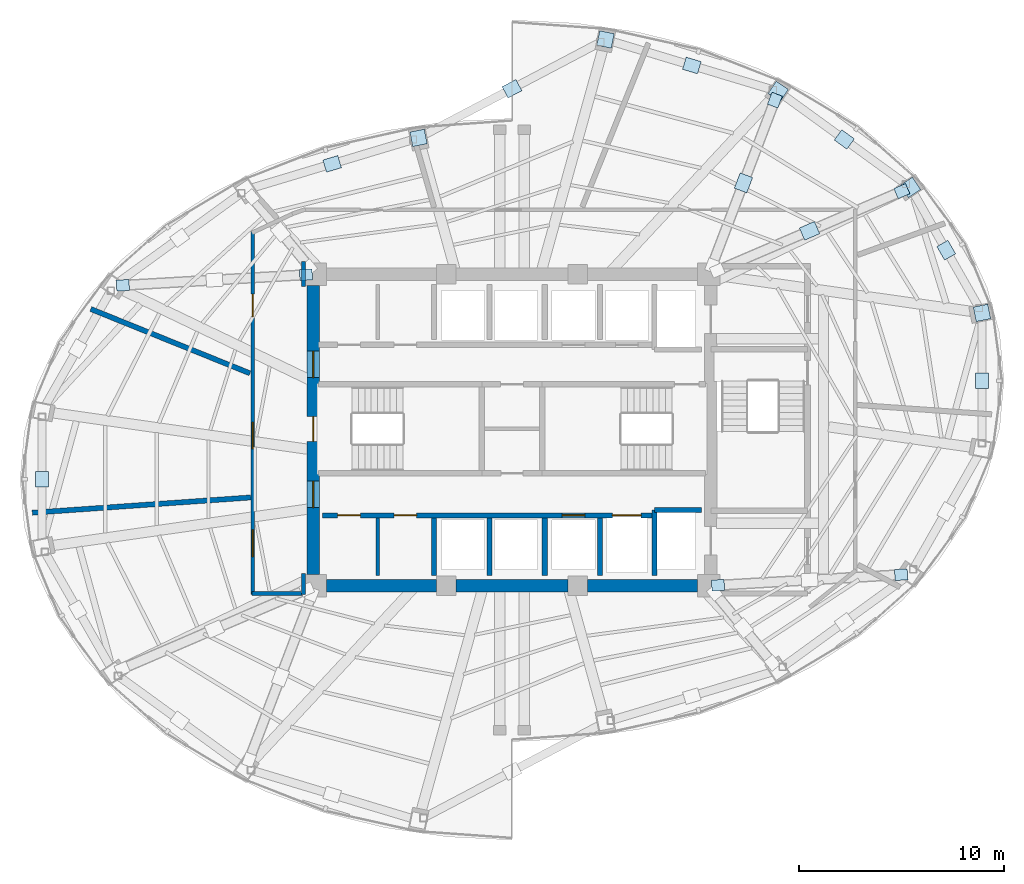
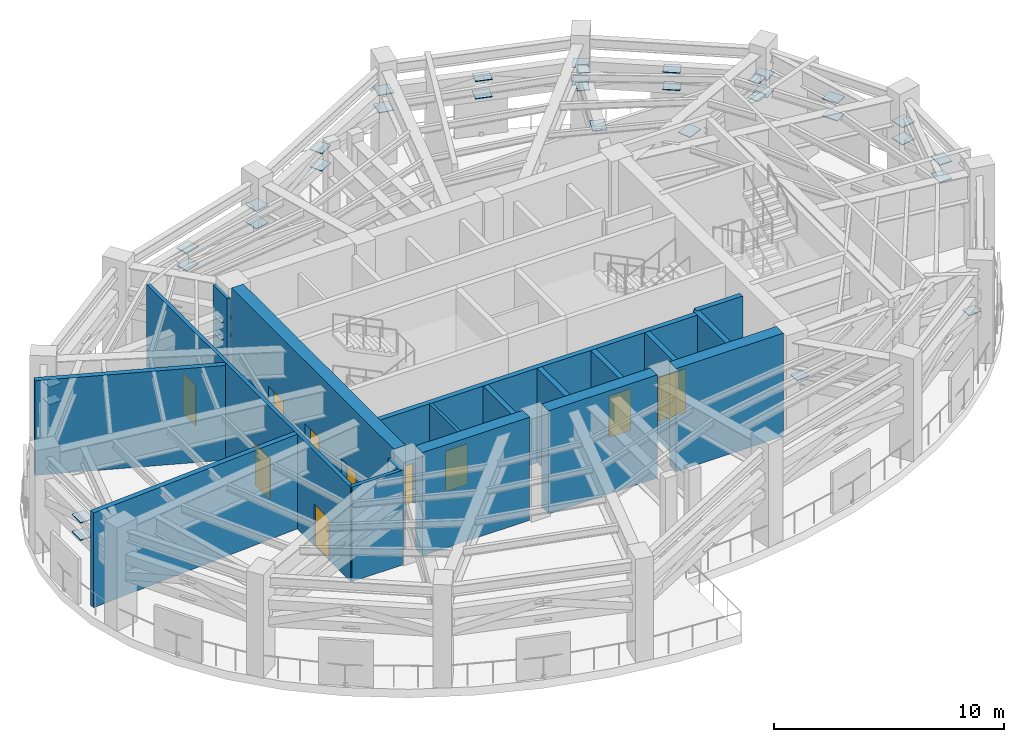
# One storey, part 7 of 12: 36 plates, 18 walls, 10 doors, 10 openings.
"""IFC4 building model written with IfcOpenShell, lengths in metres."""

from ifc_helpers import new_model, si_unit, direction, frame, frame_2d, origin, origin_2d, place, context, subcontext, project, spatial, rectangle, extrude, material, layer, layer_set, type_object, element, fill, save


model = new_model("IFC4")

# Units and contexts
model_context = context("Model", 3, precision=1e-05, world=origin(), true_north=direction((0.0, 1.0)))
body_context = subcontext(model_context, "Body", "Model", "MODEL_VIEW")
ifc_project = project(units=[si_unit("LENGTHUNIT", "METRE"), si_unit("AREAUNIT", "SQUARE_METRE"), si_unit("VOLUMEUNIT", "CUBIC_METRE"), si_unit("PLANEANGLEUNIT", "RADIAN"), si_unit("MASSUNIT", "GRAM", prefix="KILO")], contexts=[model_context])

# Site, building, storey
site_placement = place(None, origin())
site = spatial("IfcSite", under=ifc_project, at=site_placement, CompositionType="ELEMENT")
building_placement = place(site_placement, origin())
building = spatial("IfcBuilding", under=site, at=building_placement, Name="Lazwardi Medical Tower", CompositionType="ELEMENT")
storey_placement = place(building_placement, frame((0.0, 0.0, 189.360107421875)))
storey = spatial("IfcBuildingStorey", under=building, at=storey_placement, Name="L49", CompositionType="ELEMENT", Elevation=189.360107421875)

# Plates
ifc_material_1 = material(Name="Steel S460", Category="steel")
ifc_layer_1 = layer(ifc_material_1, 0.0400390625)
ifc_layer_set_1 = layer_set([ifc_layer_1], Name="Steel S460")
plate_type = type_object("IfcPlateType", Name="PLT-GUS-01", PredefinedType="USERDEFINED", material=ifc_layer_set_1)
for number, where, z_axis, x_axis, name in (
    (1, (58.92578125, 30.39990234375, 3.579833984375), (0.0, 0.0, 1.0), (0.0, 1.0, 0.0), "Belt truss gusset plate GP-01 T04 L49"),
    (2, (58.92578125, 30.39990234375, 2.659912109375), (0.0, 0.0, 1.0), (0.0, 1.0, 0.0), "Belt truss gusset plate GP-01 B04 L49"),
):
    element("IfcPlate", number, at=place(storey_placement, frame(where, z_axis=z_axis, x_axis=x_axis)), inside=storey, type_object=plate_type, Name=name, ObjectType="GUSSET_PLATE", PredefinedType="USERDEFINED", context=body_context, shape_type="SweptSolid", body=[
        extrude(rectangle(XDim=0.760009765625, YDim=0.6201171875, at=origin_2d()), origin(), (0.0, 0.0, 1.0), 0.0400390625),
    ])
for number, where, z_axis, x_axis, name in (
    (3, (58.92578125, 33.711669921875, 2.659912109375), (0.0, 0.0, 1.0), (0.980785280403, 0.195090322016, 0.0), "Belt truss column gusset plate GP-01 MB05 L49"),
    (4, (58.92578125, 33.711669921875, 3.579833984375), (0.0, 0.0, 1.0), (0.980785280403, 0.195090322016, 0.0), "Belt truss column gusset plate GP-01 MT05 L49"),
):
    element("IfcPlate", number, at=place(storey_placement, frame(where, z_axis=z_axis, x_axis=x_axis)), inside=storey, type_object=plate_type, Name=name, ObjectType="GUSSET_PLATE", PredefinedType="USERDEFINED", context=body_context, shape_type="SweptSolid", body=[
        extrude(rectangle(XDim=0.719970703125, YDim=0.719970703125, at=origin_2d()), origin(), (0.0, 0.0, 1.0), 0.0400390625),
    ])
for number, where, z_axis, x_axis, name in (
    (5, (57.180908203125, 36.771240234375, 3.579833984375), (0.0, 0.0, 1.0), (-0.495458668432, 0.868631514438, 0.0), "Belt truss gusset plate GP-01 T05 L49"),
    (6, (57.180908203125, 36.771240234375, 2.659912109375), (0.0, 0.0, 1.0), (-0.495458668432, 0.868631514438, 0.0), "Belt truss gusset plate GP-01 B05 L49"),
):
    element("IfcPlate", number, at=place(storey_placement, frame(where, z_axis=z_axis, x_axis=x_axis)), inside=storey, type_object=plate_type, Name=name, ObjectType="GUSSET_PLATE", PredefinedType="USERDEFINED", context=body_context, shape_type="SweptSolid", body=[
        extrude(rectangle(XDim=0.760009765625, YDim=0.6201171875, at=origin_2d()), origin(), (0.0, 0.0, 1.0), 0.0400390625),
    ])
for number, where, z_axis, x_axis, name in (
    (7, (55.435546875, 39.830810546875, 2.659912109375), (0.0, 0.0, 1.0), (0.831469612303, 0.55557023302, 0.0), "Belt truss column gusset plate GP-01 MB06 L49"),
    (8, (55.435546875, 39.830810546875, 3.579833984375), (0.0, 0.0, 1.0), (0.831469612303, 0.55557023302, 0.0), "Belt truss column gusset plate GP-01 MT06 L49"),
):
    element("IfcPlate", number, at=place(storey_placement, frame(where, z_axis=z_axis, x_axis=x_axis)), inside=storey, type_object=plate_type, Name=name, ObjectType="GUSSET_PLATE", PredefinedType="USERDEFINED", context=body_context, shape_type="SweptSolid", body=[
        extrude(rectangle(XDim=0.719970703125, YDim=0.719970703125, at=origin_2d()), origin(), (0.0, 0.0, 1.0), 0.0400390625),
    ])
for number, where, z_axis, x_axis, name in (
    (9, (52.211181640625, 42.172607421875, 3.579833984375), (0.0, 0.0, 1.0), (-0.809119569932, 0.587644043238, 0.0), "Belt truss gusset plate GP-01 T06 L49"),
    (10, (52.211181640625, 42.172607421875, 2.659912109375), (0.0, 0.0, 1.0), (-0.809119569932, 0.587644043238, 0.0), "Belt truss gusset plate GP-01 B06 L49"),
):
    element("IfcPlate", number, at=place(storey_placement, frame(where, z_axis=z_axis, x_axis=x_axis)), inside=storey, type_object=plate_type, Name=name, ObjectType="GUSSET_PLATE", PredefinedType="USERDEFINED", context=body_context, shape_type="SweptSolid", body=[
        extrude(rectangle(XDim=0.760009765625, YDim=0.6201171875, at=origin_2d()), origin(), (0.0, 0.0, 1.0), 0.0400390625),
    ])
for number, where, z_axis, x_axis, name in (
    (11, (48.986572265625, 44.51416015625, 2.659912109375), (0.0, 0.0, 1.0), (0.55557023302, 0.831469612303, 0.0), "Belt truss column gusset plate GP-01 MB07 L49"),
    (12, (48.986572265625, 44.51416015625, 3.579833984375), (0.0, 0.0, 1.0), (0.55557023302, 0.831469612303, 0.0), "Belt truss column gusset plate GP-01 MT07 L49"),
):
    element("IfcPlate", number, at=place(storey_placement, frame(where, z_axis=z_axis, x_axis=x_axis)), inside=storey, type_object=plate_type, Name=name, ObjectType="GUSSET_PLATE", PredefinedType="USERDEFINED", context=body_context, shape_type="SweptSolid", body=[
        extrude(rectangle(XDim=0.719970703125, YDim=0.719970703125, at=origin_2d()), origin(), (0.0, 0.0, 1.0), 0.0400390625),
    ])
for number, where, z_axis, x_axis, name in (
    (13, (44.7734375, 45.781494140625, 3.579833984375), (0.0, 0.0, 1.0), (-0.957621645958, 0.288029136015, 0.0), "Belt truss gusset plate GP-01 T07 L49"),
    (14, (44.7734375, 45.781494140625, 2.659912109375), (0.0, 0.0, 1.0), (-0.957621645958, 0.288029136015, 0.0), "Belt truss gusset plate GP-01 B07 L49"),
):
    element("IfcPlate", number, at=place(storey_placement, frame(where, z_axis=z_axis, x_axis=x_axis)), inside=storey, type_object=plate_type, Name=name, ObjectType="GUSSET_PLATE", PredefinedType="USERDEFINED", context=body_context, shape_type="SweptSolid", body=[
        extrude(rectangle(XDim=0.760009765625, YDim=0.6201171875, at=origin_2d()), origin(), (0.0, 0.0, 1.0), 0.0400390625),
    ])
for number, where, z_axis, x_axis, name in (
    (15, (40.560302734375, 47.048828125, 2.659912109375), (0.0, 0.0, 1.0), (0.195090322016, 0.980785280403, 0.0), "Belt truss column gusset plate GP-01 MB08 L49"),
    (16, (40.560302734375, 47.048828125, 3.579833984375), (0.0, 0.0, 1.0), (0.195090322016, 0.980785280403, 0.0), "Belt truss column gusset plate GP-01 MT08 L49"),
):
    element("IfcPlate", number, at=place(storey_placement, frame(where, z_axis=z_axis, x_axis=x_axis)), inside=storey, type_object=plate_type, Name=name, ObjectType="GUSSET_PLATE", PredefinedType="USERDEFINED", context=body_context, shape_type="SweptSolid", body=[
        extrude(rectangle(XDim=0.719970703125, YDim=0.719970703125, at=origin_2d()), origin(), (0.0, 0.0, 1.0), 0.0400390625),
    ])
for number, where, z_axis, x_axis, name in (
    (17, (36.0, 44.648681640625, 3.579833984375), (0.0, 0.0, 1.0), (-0.88490635892, -0.465768972714, 0.0), "Belt truss gusset plate GP-01 T08 L49"),
    (18, (36.0, 44.648681640625, 2.659912109375), (0.0, 0.0, 1.0), (-0.88490635892, -0.465768972714, 0.0), "Belt truss gusset plate GP-01 B08 L49"),
):
    element("IfcPlate", number, at=place(storey_placement, frame(where, z_axis=z_axis, x_axis=x_axis)), inside=storey, type_object=plate_type, Name=name, ObjectType="GUSSET_PLATE", PredefinedType="USERDEFINED", context=body_context, shape_type="SweptSolid", body=[
        extrude(rectangle(XDim=0.760009765625, YDim=0.6201171875, at=origin_2d()), origin(), (0.0, 0.0, 1.0), 0.0400390625),
    ])
for number, where, z_axis, x_axis, name in (
    (19, (31.439697265625, 42.248779296875, 2.659912109375), (0.0, 0.0, 1.0), (-0.195090322016, 0.980785280403, 0.0), "Belt truss column gusset plate GP-01 MB09 L49"),
    (20, (31.439697265625, 42.248779296875, 3.579833984375), (0.0, 0.0, 1.0), (-0.195090322016, 0.980785280403, 0.0), "Belt truss column gusset plate GP-01 MT09 L49"),
):
    element("IfcPlate", number, at=place(storey_placement, frame(where, z_axis=z_axis, x_axis=x_axis)), inside=storey, type_object=plate_type, Name=name, ObjectType="GUSSET_PLATE", PredefinedType="USERDEFINED", context=body_context, shape_type="SweptSolid", body=[
        extrude(rectangle(XDim=0.719970703125, YDim=0.719970703125, at=origin_2d()), origin(), (0.0, 0.0, 1.0), 0.0400390625),
    ])
for number, where, z_axis, x_axis, name in (
    (21, (27.2265625, 40.9814453125, 3.579833984375), (0.0, 0.0, 1.0), (-0.957621645958, -0.288029136015, 0.0), "Belt truss gusset plate GP-01 T09 L49"),
    (22, (27.2265625, 40.9814453125, 2.659912109375), (0.0, 0.0, 1.0), (-0.957621645958, -0.288029136015, 0.0), "Belt truss gusset plate GP-01 B09 L49"),
    (23, (13.07421875, 25.60009765625, 3.579833984375), (0.0, 0.0, 1.0), (0.0, -1.0, 0.0), "Belt truss gusset plate GP-01 T12 L49"),
    (24, (13.07421875, 25.60009765625, 2.659912109375), (0.0, 0.0, 1.0), (0.0, -1.0, 0.0), "Belt truss gusset plate GP-01 B12 L49"),
):
    element("IfcPlate", number, at=place(storey_placement, frame(where, z_axis=z_axis, x_axis=x_axis)), inside=storey, type_object=plate_type, Name=name, ObjectType="GUSSET_PLATE", PredefinedType="USERDEFINED", context=body_context, shape_type="SweptSolid", body=[
        extrude(rectangle(XDim=0.760009765625, YDim=0.6201171875, at=origin_2d()), origin(), (0.0, 0.0, 1.0), 0.0400390625),
    ])
for number, where, z_axis, x_axis, name in (
    (25, (46.04931640625, 20.426025390625, 2.659912109375), (0.0, 0.0, 1.0), (0.99833175459, 0.0577382696, 0.0), "Outrigger core gusset plate GP-01 OR4CB L49"),
    (26, (54.9814453125, 20.94287109375, 2.659912109375), (0.0, 0.0, 1.0), (0.99833175459, 0.0577382696, 0.0), "Outrigger perimeter gusset plate GP-01 OR4MB L49"),
):
    element("IfcPlate", number, at=place(storey_placement, frame(where, z_axis=z_axis, x_axis=x_axis)), inside=storey, type_object=plate_type, Name=name, ObjectType="GUSSET_PLATE", PredefinedType="USERDEFINED", context=body_context, shape_type="SweptSolid", body=[
        extrude(rectangle(XDim=0.6201171875, YDim=0.5400390625, at=origin_2d()), origin(), (0.0, 0.0, 1.0), 0.0400390625),
    ])
plate_1_placement = place(storey_placement, frame((50.515380859375, 37.71435546875, 3.579833984375), z_axis=(0.0, 0.0, 1.0), x_axis=(0.918584396813, 0.395224880204, 0.0)))
element("IfcPlate", 27, at=plate_1_placement, inside=storey, type_object=plate_type, Name="Outrigger truss gusset plate GP-01 OR5 L49", ObjectType="GUSSET_PLATE", PredefinedType="USERDEFINED", context=body_context, shape_type="SweptSolid", body=[
    extrude(rectangle(XDim=0.800048828125, YDim=0.64990234375, at=origin_2d()), origin(), (0.0, 0.0, 1.0), 0.0400390625),
])
for number, where, z_axis, x_axis, name in (
    (28, (55.017578125, 39.65087890625, 2.659912109375), (0.0, 0.0, 1.0), (0.918584396813, 0.395224880204, 0.0), "Outrigger perimeter gusset plate GP-01 OR5MB L49"),
    (29, (55.017578125, 39.65087890625, 3.579833984375), (0.0, 0.0, 1.0), (0.918584396813, 0.395224880204, 0.0), "Outrigger perimeter gusset plate GP-01 OR5MT L49"),
):
    element("IfcPlate", number, at=place(storey_placement, frame(where, z_axis=z_axis, x_axis=x_axis)), inside=storey, type_object=plate_type, Name=name, ObjectType="GUSSET_PLATE", PredefinedType="USERDEFINED", context=body_context, shape_type="SweptSolid", body=[
        extrude(rectangle(XDim=0.6201171875, YDim=0.5400390625, at=origin_2d()), origin(), (0.0, 0.0, 1.0), 0.0400390625),
    ])
plate_2_placement = place(storey_placement, frame((47.292236328125, 40.0546875, 3.579833984375), z_axis=(0.0, 0.0, 1.0), x_axis=(0.355106962408, 0.934825676396, 0.0)))
element("IfcPlate", 30, at=plate_2_placement, inside=storey, type_object=plate_type, Name="Outrigger truss gusset plate GP-01 OR6 L49", ObjectType="GUSSET_PLATE", PredefinedType="USERDEFINED", context=body_context, shape_type="SweptSolid", body=[
    extrude(rectangle(XDim=0.800048828125, YDim=0.64990234375, at=origin_2d()), origin(), (0.0, 0.0, 1.0), 0.0400390625),
])
for number, where, z_axis, x_axis, name in (
    (31, (48.824951171875, 44.0888671875, 2.659912109375), (0.0, 0.0, 1.0), (0.355106962408, 0.934825676396, 0.0), "Outrigger perimeter gusset plate GP-01 OR6MB L49"),
    (32, (48.824951171875, 44.0888671875, 3.579833984375), (0.0, 0.0, 1.0), (0.355106962408, 0.934825676396, 0.0), "Outrigger perimeter gusset plate GP-01 OR6MT L49"),
    (33, (25.95068359375, 35.573974609375, 2.659912109375), (0.0, 0.0, 1.0), (-0.99833175459, -0.0577382696, 0.0), "Outrigger core gusset plate GP-01 OR8CB L49"),
    (34, (25.95068359375, 35.573974609375, 3.579833984375), (0.0, 0.0, 1.0), (-0.99833175459, -0.0577382696, 0.0), "Outrigger core gusset plate GP-01 OR8CT L49"),
    (35, (17.0185546875, 35.05712890625, 2.659912109375), (0.0, 0.0, 1.0), (-0.99833175459, -0.0577382696, 0.0), "Outrigger perimeter gusset plate GP-01 OR8MB L49"),
    (36, (17.0185546875, 35.05712890625, 3.579833984375), (0.0, 0.0, 1.0), (-0.99833175459, -0.0577382696, 0.0), "Outrigger perimeter gusset plate GP-01 OR8MT L49"),
):
    element("IfcPlate", number, at=place(storey_placement, frame(where, z_axis=z_axis, x_axis=x_axis)), inside=storey, type_object=plate_type, Name=name, ObjectType="GUSSET_PLATE", PredefinedType="USERDEFINED", context=body_context, shape_type="SweptSolid", body=[
        extrude(rectangle(XDim=0.6201171875, YDim=0.5400390625, at=origin_2d()), origin(), (0.0, 0.0, 1.0), 0.0400390625),
    ])

# Walls
ifc_material_2 = material(Name="Fire-rated gypsum board on steel stud", Category="steel")
ifc_layer_2 = layer(ifc_material_2, 0.179931640625)
ifc_layer_set_2 = layer_set([ifc_layer_2], Name="Fire-rated gypsum board on steel stud")
wall_type_1 = type_object("IfcWallType", Name="WL-COR-180", PredefinedType="PARTITIONING", material=ifc_layer_set_2)
wall_1_placement = place(storey_placement, frame((25.830078125, 36.2099609375, 0.0), z_axis=(0.0, 0.0, 1.0), x_axis=(0.0, -1.0, 0.0)))
element("IfcWall", 37, at=wall_1_placement, inside=storey, type_object=wall_type_1, Name="L49 Corridor partition 6", PredefinedType="PARTITIONING", context=body_context, shape_type="SweptSolid", body=[
    extrude(rectangle(XDim=1.219970703125, YDim=0.179931640625, at=frame_2d((0.60986328125, 0.0))), origin(), (0.0, 0.0, 1.0), 5.02197265625),
])
wall_2_placement = place(storey_placement, frame((25.830078125, 21.010009765625, 0.0), z_axis=(0.0, 0.0, 1.0), x_axis=(0.0, -1.0, 0.0)))
element("IfcWall", 38, at=wall_2_placement, inside=storey, type_object=wall_type_1, Name="L49 Corridor partition 7", PredefinedType="PARTITIONING", context=body_context, shape_type="SweptSolid", body=[
    extrude(rectangle(XDim=1.030029296875, YDim=0.179931640625, at=frame_2d((0.51513671875, 0.0))), origin(), (0.0, 0.0, 1.0), 5.02197265625),
])
wall_3_placement = place(storey_placement, frame((25.8701171875, 20.02001953125, 0.0), z_axis=(0.0, 0.0, 1.0), x_axis=(-1.0, 0.0, 0.0)))
element("IfcWall", 39, at=wall_3_placement, inside=storey, type_object=wall_type_1, Name="L49 Corridor partition 8", PredefinedType="PARTITIONING", context=body_context, shape_type="SweptSolid", body=[
    extrude(rectangle(XDim=2.56005859375, YDim=0.179931640625, at=frame_2d((1.280029296875, 0.0))), origin(), (0.0, 0.0, 1.0), 5.02197265625),
])

# Wall, openings, doors
wall_4_placement = place(storey_placement, frame((23.35009765625, 19.97998046875, 0.0), z_axis=(0.0, 0.0, 1.0), x_axis=(0.0, 1.0, 0.0)))
wall_4 = element("IfcWall", 40, at=wall_4_placement, inside=storey, type_object=wall_type_1, Name="L49 Corridor partition 9", PredefinedType="PARTITIONING", context=body_context, shape_type="SweptSolid", body=[
    extrude(rectangle(XDim=17.69384765625, YDim=0.179931640625, at=frame_2d((8.846923828125, 0.0))), origin(), (0.0, 0.0, 1.0), 5.02197265625),
])
opening_1_placement = place(wall_4_placement, frame((1.848388671875, 0.0, 0.0)))
opening_1 = element("IfcOpeningElement", 41, at=opening_1_placement, cuts=wall_4, Name="Opening D-L49-011", PredefinedType="OPENING", context=body_context, shape_type="SweptSolid", body=[
    extrude(rectangle(XDim=1.300048828125, YDim=2.199951171875, at=frame_2d((0.64990234375, 1.10009765625))), frame((0.0, 0.099853515625, 0.0), z_axis=(0.0, -1.0, 0.0), x_axis=(1.0, 0.0, 0.0)), (0.0, 0.0, 1.0), 0.199951171875),
])
opening_2_placement = place(wall_4_placement, frame((13.552978515625, 0.0, 0.0)))
opening_2 = element("IfcOpeningElement", 42, at=opening_2_placement, cuts=wall_4, Name="Opening D-L49-017", PredefinedType="OPENING", context=body_context, shape_type="SweptSolid", body=[
    extrude(rectangle(XDim=1.10009765625, YDim=2.14990234375, at=frame_2d((0.550048828125, 1.074951171875))), frame((0.0, 0.099853515625, 0.0), z_axis=(0.0, -1.0, 0.0), x_axis=(1.0, 0.0, 0.0)), (0.0, 0.0, 1.0), 0.199951171875),
])
opening_3_placement = place(wall_4_placement, frame((7.09423828125, 0.0, 0.0)))
opening_3 = element("IfcOpeningElement", 43, at=opening_3_placement, cuts=wall_4, Name="Opening D-L49-018", PredefinedType="OPENING", context=body_context, shape_type="SweptSolid", body=[
    extrude(rectangle(XDim=1.300048828125, YDim=2.199951171875, at=frame_2d((0.64990234375, 1.10009765625))), frame((0.0, 0.099853515625, 0.0), z_axis=(0.0, -1.0, 0.0), x_axis=(1.0, 0.0, 0.0)), (0.0, 0.0, 1.0), 0.199951171875),
])
ifc_material_3 = material(Name="Fire-rated steel leaf and frame", Category="steel")
door_type_1 = type_object("IfcDoorType", Name="DR-FFL-1300", OperationType="NOTDEFINED", PredefinedType="DOOR", material=ifc_material_3)
door_1_placement = place(opening_1_placement, origin())
door_1 = element("IfcDoor", 44, at=door_1_placement, inside=storey, type_object=door_type_1, Name="L49 Area of Refuge Door 01", OperationType="SINGLE_SWING_RIGHT", OverallHeight=2.199951171875, OverallWidth=1.300048828125, PredefinedType="DOOR", context=body_context, shape_type="SweptSolid", body=[
    extrude(rectangle(XDim=1.300048828125, YDim=2.199951171875, at=frame_2d((0.64990234375, 1.10009765625))), frame((0.0, 0.02490234375, 0.0), z_axis=(0.0, -1.0, 0.0), x_axis=(1.0, 0.0, 0.0)), (0.0, 0.0, 1.0), 0.050048828125),
])
fill(opening_1, door_1)
door_2_placement = place(opening_3_placement, origin())
door_2 = element("IfcDoor", 45, at=door_2_placement, inside=storey, type_object=door_type_1, Name="L49 Area of Refuge Door 08", OperationType="SINGLE_SWING_LEFT", OverallHeight=2.199951171875, OverallWidth=1.300048828125, PredefinedType="DOOR", context=body_context, shape_type="SweptSolid", body=[
    extrude(rectangle(XDim=1.300048828125, YDim=2.199951171875, at=frame_2d((0.64990234375, 1.10009765625))), frame((0.0, 0.02490234375, 0.0), z_axis=(0.0, -1.0, 0.0), x_axis=(1.0, 0.0, 0.0)), (0.0, 0.0, 1.0), 0.050048828125),
])
fill(opening_3, door_2)
door_type_2 = type_object("IfcDoorType", Name="DR-PLT-1100", OperationType="NOTDEFINED", PredefinedType="DOOR", material=ifc_material_3)
door_3_placement = place(opening_2_placement, origin())
door_3 = element("IfcDoor", 46, at=door_3_placement, inside=storey, type_object=door_type_2, Name="L49 Electrical Switchroom Door 07", OperationType="SINGLE_SWING_RIGHT", OverallHeight=2.14990234375, OverallWidth=1.10009765625, PredefinedType="DOOR", context=body_context, shape_type="SweptSolid", body=[
    extrude(rectangle(XDim=1.10009765625, YDim=2.14990234375, at=frame_2d((0.550048828125, 1.074951171875))), frame((0.0, 0.02490234375, 0.0), z_axis=(0.0, -1.0, 0.0), x_axis=(1.0, 0.0, 0.0)), (0.0, 0.0, 1.0), 0.050048828125),
])
fill(opening_2, door_3)

ifc_material_4 = material(Name="Concrete C60/75", Category="concrete")
ifc_layer_3 = layer(ifc_material_4, 0.60009765625)
ifc_layer_set_3 = layer_set([ifc_layer_3], Name="Concrete C60/75")
wall_type_2 = type_object("IfcWallType", Name="WL-CORE-600", PredefinedType="SHEAR", material=ifc_layer_set_3)
wall_5_placement = place(storey_placement, frame((26.300048828125, 20.949951171875, 0.0), z_axis=(0.0, 0.0, 1.0), x_axis=(0.0, 1.0, 0.0)))
wall_5 = element("IfcWall", 47, at=wall_5_placement, inside=storey, type_object=wall_type_2, Name="Core wall CW-S3 west L49", PredefinedType="SHEAR", context=body_context, shape_type="SweptSolid", body=[
    extrude(rectangle(XDim=14.10009765625, YDim=0.60009765625, at=frame_2d((7.050048828125, 0.0))), origin(), (0.0, 0.0, 1.0), 5.471923828125),
])
opening_4_placement = place(wall_5_placement, frame((6.5, 0.0, 0.0)))
opening_4 = element("IfcOpeningElement", 48, at=opening_4_placement, cuts=wall_5, Name="Opening D-L49-019", PredefinedType="OPENING", context=body_context, shape_type="SweptSolid", body=[
    extrude(rectangle(XDim=1.199951171875, YDim=2.14990234375, at=frame_2d((0.60009765625, 1.074951171875))), frame((0.0, 0.31005859375, 0.0), z_axis=(0.0, -1.0, 0.0), x_axis=(1.0, 0.0, 0.0)), (0.0, 0.0, 1.0), 0.6201171875),
])
opening_5_placement = place(wall_5_placement, frame((9.60009765625, 0.0, 0.0)))
opening_5 = element("IfcOpeningElement", 49, at=opening_5_placement, cuts=wall_5, Name="Opening D-L49-009", PredefinedType="OPENING", context=body_context, shape_type="SweptSolid", body=[
    extrude(rectangle(XDim=1.300048828125, YDim=2.199951171875, at=frame_2d((0.64990234375, 1.10009765625))), frame((0.0, 0.31005859375, 0.0), z_axis=(0.0, -1.0, 0.0), x_axis=(1.0, 0.0, 0.0)), (0.0, 0.0, 1.0), 0.6201171875),
])
opening_6_placement = place(wall_5_placement, frame((3.260009765625, 0.0, 0.0)))
opening_6 = element("IfcOpeningElement", 50, at=opening_6_placement, cuts=wall_5, Name="Opening D-L49-010", PredefinedType="OPENING", context=body_context, shape_type="SweptSolid", body=[
    extrude(rectangle(XDim=1.300048828125, YDim=2.199951171875, at=frame_2d((0.64990234375, 1.10009765625))), frame((0.0, 0.31005859375, 0.0), z_axis=(0.0, -1.0, 0.0), x_axis=(1.0, 0.0, 0.0)), (0.0, 0.0, 1.0), 0.6201171875),
])
door_4_placement = place(opening_5_placement, origin())
door_4 = element("IfcDoor", 51, at=door_4_placement, inside=storey, type_object=door_type_1, Name="L49 North Lift Lobby Door", OperationType="SINGLE_SWING_LEFT", OverallHeight=2.199951171875, OverallWidth=1.300048828125, PredefinedType="DOOR", context=body_context, shape_type="SweptSolid", body=[
    extrude(rectangle(XDim=1.300048828125, YDim=2.199951171875, at=frame_2d((0.64990234375, 1.10009765625))), frame((0.0, 0.02490234375, 0.0), z_axis=(0.0, -1.0, 0.0), x_axis=(1.0, 0.0, 0.0)), (0.0, 0.0, 1.0), 0.050048828125),
])
fill(opening_5, door_4)
door_5_placement = place(opening_6_placement, origin())
door_5 = element("IfcDoor", 52, at=door_5_placement, inside=storey, type_object=door_type_1, Name="L49 South Lift Lobby Door", OperationType="SINGLE_SWING_RIGHT", OverallHeight=2.199951171875, OverallWidth=1.300048828125, PredefinedType="DOOR", context=body_context, shape_type="SweptSolid", body=[
    extrude(rectangle(XDim=1.300048828125, YDim=2.199951171875, at=frame_2d((0.64990234375, 1.10009765625))), frame((0.0, 0.02490234375, 0.0), z_axis=(0.0, -1.0, 0.0), x_axis=(1.0, 0.0, 0.0)), (0.0, 0.0, 1.0), 0.050048828125),
])
fill(opening_6, door_5)
door_type_3 = type_object("IfcDoorType", Name="DR-STR-1200", OperationType="NOTDEFINED", PredefinedType="DOOR", material=ifc_material_3)
door_6_placement = place(opening_4_placement, origin())
door_6 = element("IfcDoor", 53, at=door_6_placement, inside=storey, type_object=door_type_3, Name="L49 Exit Stair ST1 Door", OperationType="SINGLE_SWING_LEFT", OverallHeight=2.14990234375, OverallWidth=1.199951171875, PredefinedType="DOOR", context=body_context, shape_type="SweptSolid", body=[
    extrude(rectangle(XDim=1.199951171875, YDim=2.14990234375, at=frame_2d((0.60009765625, 1.074951171875))), frame((0.0, 0.02490234375, 0.0), z_axis=(0.0, -1.0, 0.0), x_axis=(1.0, 0.0, 0.0)), (0.0, 0.0, 1.0), 0.050048828125),
])
fill(opening_4, door_6)

# Walls
wall_6_placement = place(storey_placement, frame((26.949951171875, 20.39990234375, 0.0), z_axis=(0.0, 0.0, 1.0), x_axis=(1.0, 0.0, 0.0)))
element("IfcWall", 54, at=wall_6_placement, inside=storey, type_object=wall_type_2, Name="Core wall CW-S3 S1 L49", PredefinedType="SHEAR", context=body_context, shape_type="SweptSolid", body=[
    extrude(rectangle(XDim=5.375, YDim=0.60009765625, at=frame_2d((2.6875, 0.0))), origin(), (0.0, 0.0, 1.0), 5.471923828125),
])
wall_7_placement = place(storey_placement, frame((33.27490234375, 20.39990234375, 0.0), z_axis=(0.0, 0.0, 1.0), x_axis=(1.0, 0.0, 0.0)))
element("IfcWall", 55, at=wall_7_placement, inside=storey, type_object=wall_type_2, Name="Core wall CW-S3 S2 L49", PredefinedType="SHEAR", context=body_context, shape_type="SweptSolid", body=[
    extrude(rectangle(XDim=5.4501953125, YDim=0.60009765625, at=frame_2d((2.72509765625, 0.0))), origin(), (0.0, 0.0, 1.0), 5.471923828125),
])
wall_8_placement = place(storey_placement, frame((39.675048828125, 20.39990234375, 0.0), z_axis=(0.0, 0.0, 1.0), x_axis=(1.0, 0.0, 0.0)))
element("IfcWall", 56, at=wall_8_placement, inside=storey, type_object=wall_type_2, Name="Core wall CW-S3 S3 L49", PredefinedType="SHEAR", context=body_context, shape_type="SweptSolid", body=[
    extrude(rectangle(XDim=5.375, YDim=0.60009765625, at=frame_2d((2.6875, 0.0))), origin(), (0.0, 0.0, 1.0), 5.471923828125),
])

# Wall, openings, doors
ifc_material_5 = material(Name="Autoclaved aerated concrete blockwork", Category="masonry")
ifc_layer_4 = layer(ifc_material_5, 0.25)
ifc_layer_set_4 = layer_set([ifc_layer_4], Name="Autoclaved aerated concrete blockwork")
wall_type_3 = type_object("IfcWallType", Name="WL-SHAFT-250", PredefinedType="SOLIDWALL", material=ifc_layer_set_4)
wall_9_placement = place(storey_placement, frame((26.75, 23.830078125, 0.0), z_axis=(0.0, 0.0, 1.0), x_axis=(1.0, 0.0, 0.0)))
wall_9 = element("IfcWall", 57, at=wall_9_placement, inside=storey, type_object=wall_type_3, Name="L49 South lift bank front wall", PredefinedType="SOLIDWALL", context=body_context, shape_type="SweptSolid", body=[
    extrude(rectangle(XDim=16.199951171875, YDim=0.25, at=frame_2d((8.10009765625, 0.0))), origin(), (0.0, 0.0, 1.0), 5.02197265625),
])
opening_7_placement = place(wall_9_placement, frame((0.75, 0.0, 0.0)))
opening_7 = element("IfcOpeningElement", 58, at=opening_7_placement, cuts=wall_9, Name="Opening D-L49-005", PredefinedType="OPENING", context=body_context, shape_type="SweptSolid", body=[
    extrude(rectangle(XDim=1.10009765625, YDim=2.14990234375, at=frame_2d((0.550048828125, 1.074951171875))), frame((0.0, 0.135009765625, 0.0), z_axis=(0.0, -1.0, 0.0), x_axis=(1.0, 0.0, 0.0)), (0.0, 0.0, 1.0), 0.27001953125),
])
opening_8_placement = place(wall_9_placement, frame((3.5, 0.0, 0.0)))
opening_8 = element("IfcOpeningElement", 59, at=opening_8_placement, cuts=wall_9, Name="Opening D-L49-006", PredefinedType="OPENING", context=body_context, shape_type="SweptSolid", body=[
    extrude(rectangle(XDim=1.10009765625, YDim=2.14990234375, at=frame_2d((0.550048828125, 1.074951171875))), frame((0.0, 0.135009765625, 0.0), z_axis=(0.0, -1.0, 0.0), x_axis=(1.0, 0.0, 0.0)), (0.0, 0.0, 1.0), 0.27001953125),
])
opening_9_placement = place(wall_9_placement, frame((11.699951171875, 0.0, 0.0)))
opening_9 = element("IfcOpeningElement", 60, at=opening_9_placement, cuts=wall_9, Name="Opening LD-L49-006", PredefinedType="OPENING", context=body_context, shape_type="SweptSolid", body=[
    extrude(rectangle(XDim=1.10009765625, YDim=2.199951171875, at=frame_2d((0.550048828125, 1.10009765625))), frame((0.0, 0.135009765625, 0.0), z_axis=(0.0, -1.0, 0.0), x_axis=(1.0, 0.0, 0.0)), (0.0, 0.0, 1.0), 0.27001953125),
])
opening_10_placement = place(wall_9_placement, frame((14.14990234375, 0.0, 0.0)))
opening_10 = element("IfcOpeningElement", 61, at=opening_10_placement, cuts=wall_9, Name="Opening LD-L49-003", PredefinedType="OPENING", context=body_context, shape_type="SweptSolid", body=[
    extrude(rectangle(XDim=1.39990234375, YDim=2.300048828125, at=frame_2d((0.699951171875, 1.14990234375))), frame((0.0, 0.135009765625, 0.0), z_axis=(0.0, -1.0, 0.0), x_axis=(1.0, 0.0, 0.0)), (0.0, 0.0, 1.0), 0.27001953125),
])
ifc_material_6 = material(Name="Brushed bronze stainless steel landing door", Category="steel")
door_type_4 = type_object("IfcDoorType", Name="DR-LFT-1100", OperationType="NOTDEFINED", PredefinedType="DOOR", material=ifc_material_6)
door_7_placement = place(opening_9_placement, origin())
door_7 = element("IfcDoor", 62, at=door_7_placement, inside=storey, type_object=door_type_4, Name="L49 Lift Landing Door PL-11", OperationType="SLIDING_TO_LEFT", OverallHeight=2.199951171875, OverallWidth=1.10009765625, PredefinedType="DOOR", context=body_context, shape_type="SweptSolid", body=[
    extrude(rectangle(XDim=1.10009765625, YDim=2.199951171875, at=frame_2d((0.550048828125, 1.10009765625))), frame((0.0, 0.02490234375, 0.0), z_axis=(0.0, -1.0, 0.0), x_axis=(1.0, 0.0, 0.0)), (0.0, 0.0, 1.0), 0.050048828125),
])
fill(opening_9, door_7)
ifc_material_7 = material(Name="Brushed stainless steel bed-lift landing door", Category="steel")
door_type_5 = type_object("IfcDoorType", Name="DR-LFT-1400", OperationType="NOTDEFINED", PredefinedType="DOOR", material=ifc_material_7)
door_8_placement = place(opening_10_placement, origin())
door_8 = element("IfcDoor", 63, at=door_8_placement, inside=storey, type_object=door_type_5, Name="L49 Lift Landing Door FL-03", OperationType="SLIDING_TO_LEFT", OverallHeight=2.300048828125, OverallWidth=1.39990234375, PredefinedType="DOOR", context=body_context, shape_type="SweptSolid", body=[
    extrude(rectangle(XDim=1.39990234375, YDim=2.300048828125, at=frame_2d((0.699951171875, 1.14990234375))), frame((0.0, 0.02490234375, 0.0), z_axis=(0.0, -1.0, 0.0), x_axis=(1.0, 0.0, 0.0)), (0.0, 0.0, 1.0), 0.050048828125),
])
fill(opening_10, door_8)
door_9_placement = place(opening_7_placement, origin())
door_9 = element("IfcDoor", 64, at=door_9_placement, inside=storey, type_object=door_type_2, Name="L49 Pump Room Door", OperationType="SINGLE_SWING_LEFT", OverallHeight=2.14990234375, OverallWidth=1.10009765625, PredefinedType="DOOR", context=body_context, shape_type="SweptSolid", body=[
    extrude(rectangle(XDim=1.10009765625, YDim=2.14990234375, at=frame_2d((0.550048828125, 1.074951171875))), frame((0.0, 0.02490234375, 0.0), z_axis=(0.0, -1.0, 0.0), x_axis=(1.0, 0.0, 0.0)), (0.0, 0.0, 1.0), 0.050048828125),
])
fill(opening_7, door_9)
door_10_placement = place(opening_8_placement, origin())
door_10 = element("IfcDoor", 65, at=door_10_placement, inside=storey, type_object=door_type_2, Name="L49 Switchroom Door", OperationType="SINGLE_SWING_RIGHT", OverallHeight=2.14990234375, OverallWidth=1.10009765625, PredefinedType="DOOR", context=body_context, shape_type="SweptSolid", body=[
    extrude(rectangle(XDim=1.10009765625, YDim=2.14990234375, at=frame_2d((0.550048828125, 1.074951171875))), frame((0.0, 0.02490234375, 0.0), z_axis=(0.0, -1.0, 0.0), x_axis=(1.0, 0.0, 0.0)), (0.0, 0.0, 1.0), 0.050048828125),
])
fill(opening_8, door_10)

# Walls
wall_10_placement = place(storey_placement, frame((42.949951171875, 20.89990234375, 0.0), z_axis=(0.0, 0.0, 1.0), x_axis=(0.0, 1.0, 0.0)))
element("IfcWall", 66, at=wall_10_placement, inside=storey, type_object=wall_type_3, Name="L49 FL-02 West shaft wall", PredefinedType="SOLIDWALL", context=body_context, shape_type="SweptSolid", body=[
    extrude(rectangle(XDim=3.2001953125, YDim=0.25, at=frame_2d((1.60009765625, 0.0))), origin(), (0.0, 0.0, 1.0), 5.02197265625),
])
wall_11_placement = place(storey_placement, frame((42.949951171875, 24.10009765625, 0.0), z_axis=(0.0, 0.0, 1.0), x_axis=(1.0, 0.0, 0.0)))
element("IfcWall", 67, at=wall_11_placement, inside=storey, type_object=wall_type_3, Name="L49 FL-02 North shaft wall", PredefinedType="SOLIDWALL", context=body_context, shape_type="SweptSolid", body=[
    extrude(rectangle(XDim=2.300048828125, YDim=0.25, at=frame_2d((1.14990234375, 0.0))), origin(), (0.0, 0.0, 1.0), 5.02197265625),
])
for number, where, z_axis, x_axis, name in (
    (68, (32.199951171875, 20.89990234375, 0.0), (0.0, 0.0, 1.0), (0.0, 1.0, 0.0), "L49 South hoistway divider"),
    (69, (34.89990234375, 20.89990234375, 0.0), (0.0, 0.0, 1.0), (0.0, 1.0, 0.0), "L49 South hoistway divider"),
    (70, (37.60009765625, 20.89990234375, 0.0), (0.0, 0.0, 1.0), (0.0, 1.0, 0.0), "L49 South hoistway divider"),
    (71, (40.300048828125, 20.89990234375, 0.0), (0.0, 0.0, 1.0), (0.0, 1.0, 0.0), "L49 South hoistway divider"),
):
    element("IfcWall", number, at=place(storey_placement, frame(where, z_axis=z_axis, x_axis=x_axis)), inside=storey, type_object=wall_type_3, Name=name, PredefinedType="SOLIDWALL", context=body_context, shape_type="SweptSolid", body=[
        extrude(rectangle(XDim=2.800048828125, YDim=0.25, at=frame_2d((1.39990234375, 0.0))), origin(), (0.0, 0.0, 1.0), 5.02197265625),
    ])
wall_12_placement = place(storey_placement, frame((23.21630859375, 30.764892578125, 0.0), z_axis=(0.0, 0.0, 1.0), x_axis=(-0.927177958595, 0.374621186126, 0.0)))
element("IfcWall", 72, at=wall_12_placement, inside=storey, type_object=wall_type_3, Name="L49 Room partition 7", PredefinedType="SOLIDWALL", context=body_context, shape_type="SweptSolid", body=[
    extrude(rectangle(XDim=8.372314453125, YDim=0.25, at=frame_2d((4.18603515625, 0.0))), origin(), (0.0, 0.0, 1.0), 5.02197265625),
])
wall_13_placement = place(storey_placement, frame((23.260009765625, 24.708984375, 0.0), z_axis=(0.0, 0.0, 1.0), x_axis=(-0.997564391093, -0.069751599432, 0.0)))
element("IfcWall", 73, at=wall_13_placement, inside=storey, type_object=wall_type_3, Name="L49 Room partition 8", PredefinedType="SOLIDWALL", context=body_context, shape_type="SweptSolid", body=[
    extrude(rectangle(XDim=10.68603515625, YDim=0.25, at=frame_2d((5.343017578125, 0.0))), origin(), (0.0, 0.0, 1.0), 5.02197265625),
])
ifc_material_8 = material(Name="Acoustic gypsum board partition")
ifc_layer_5 = layer(ifc_material_8, 0.14990234375)
ifc_layer_set_5 = layer_set([ifc_layer_5], Name="Acoustic gypsum board partition")
wall_type_4 = type_object("IfcWallType", Name="WL-WRD-150", PredefinedType="PARTITIONING", material=ifc_layer_set_5)
wall_14_placement = place(storey_placement, frame((29.449951171875, 20.89990234375, 0.0), z_axis=(0.0, 0.0, 1.0), x_axis=(0.0, 1.0, 0.0)))
element("IfcWall", 74, at=wall_14_placement, inside=storey, type_object=wall_type_4, Name="L49 Refuge core plant S split", PredefinedType="PARTITIONING", context=body_context, shape_type="SweptSolid", body=[
    extrude(rectangle(XDim=2.800048828125, YDim=0.14990234375, at=frame_2d((1.39990234375, 0.0))), origin(), (0.0, 0.0, 1.0), 5.02197265625),
])

save(model, "model.ifc")
